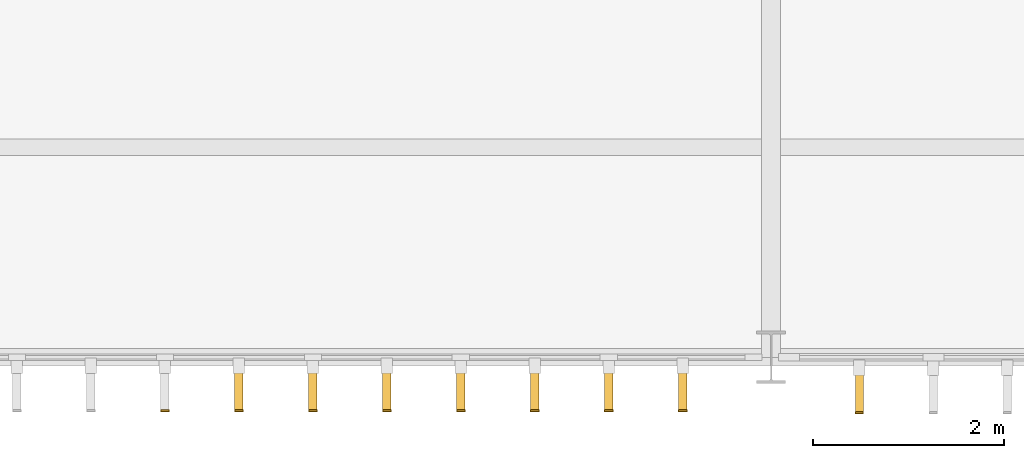
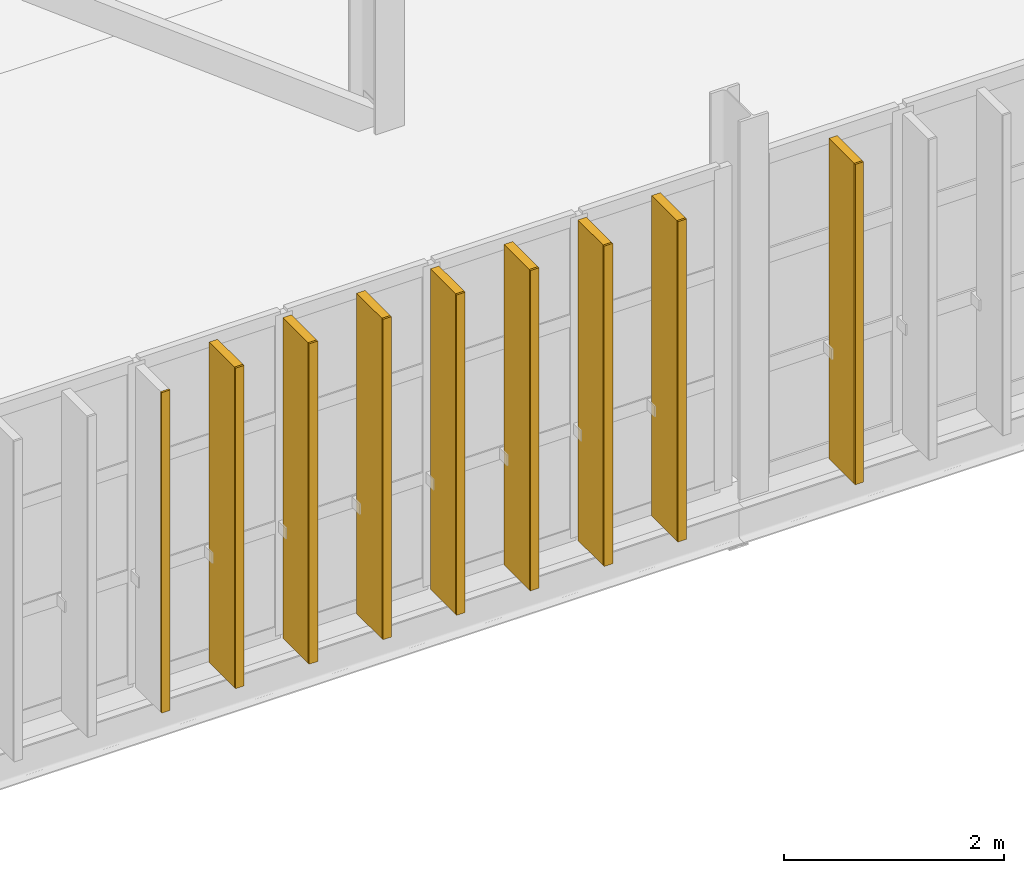
# One storey, part 45 of 52: 9 coverings, 8 shading devices.
"""IFC4 building model written with IfcOpenShell, lengths in metres."""

from ifc_helpers import new_model, si_unit, direction, frame, origin, origin_2d, place, context, subcontext, project, spatial, rectangle, extrude, material, layer, layer_set, type_object, element, save


model = new_model("IFC4")

# Units and contexts
model_context = context("Model", 3, precision=1e-05, world=origin(), true_north=direction((0.0, 1.0)))
body_context = subcontext(model_context, "Body", "Model", "MODEL_VIEW")
ifc_project = project(units=[si_unit("LENGTHUNIT", "METRE"), si_unit("AREAUNIT", "SQUARE_METRE"), si_unit("VOLUMEUNIT", "CUBIC_METRE"), si_unit("PLANEANGLEUNIT", "RADIAN"), si_unit("MASSUNIT", "GRAM", prefix="KILO")], contexts=[model_context])

# Site, building, storey
site_placement = place(None, origin())
site = spatial("IfcSite", under=ifc_project, at=site_placement, CompositionType="ELEMENT")
building_placement = place(site_placement, origin())
building = spatial("IfcBuilding", under=site, at=building_placement, Name="Zarnetskaya Central Station", CompositionType="ELEMENT")
storey_placement = place(building_placement, frame((0.0, 0.0, 14.39990234375)))
storey = spatial("IfcBuildingStorey", under=building, at=storey_placement, Name="L03", CompositionType="ELEMENT", Elevation=14.39990234375)

# Coverings
ifc_material_1 = material(Name="Treated larch timber", Category="wood")
ifc_layer = layer(ifc_material_1, 0.02001953125, Name="Treated larch timber", Category="wood")
ifc_layer_set = layer_set([ifc_layer], Name="Treated larch timber")
covering_type = type_object("IfcCoveringType", Name="COV-LARCH-CAP", PredefinedType="CLADDING", material=ifc_layer_set)
covering_placement = place(storey_placement, frame((39.324951171875, -0.580078125, 0.0), z_axis=(0.0, 0.0, 1.0), x_axis=(-1.0, 0.0, 0.0)))
element("IfcCovering", 1, at=covering_placement, inside=storey, type_object=covering_type, Name="Larch fin weather cap CW-L03-042-11", PredefinedType="CLADDING", context=body_context, shape_type="SweptSolid", body=[
    extrude(rectangle(XDim=0.0849609375, YDim=0.02001953125, at=origin_2d()), origin(), (0.0, 0.0, 1.0), 3.56005859375),
])
for number, where, z_axis, x_axis, name in (
    (2, (37.47509765625, -0.56005859375, 0.0), (0.0, 0.0, 1.0), (-1.0, 0.0, 0.0), "Larch fin weather cap CW-L03-043-01"),
    (3, (36.699951171875, -0.56005859375, 0.0), (0.0, 0.0, 1.0), (-1.0, 0.0, 0.0), "Larch fin weather cap CW-L03-043-02"),
    (4, (35.925048828125, -0.56005859375, 0.0), (0.0, 0.0, 1.0), (-1.0, 0.0, 0.0), "Larch fin weather cap CW-L03-043-03"),
    (5, (35.14990234375, -0.56005859375, 0.0), (0.0, 0.0, 1.0), (-1.0, 0.0, 0.0), "Larch fin weather cap CW-L03-043-04"),
    (6, (34.375, -0.56005859375, 0.0), (0.0, 0.0, 1.0), (-1.0, 0.0, 0.0), "Larch fin weather cap CW-L03-043-05"),
    (7, (33.60009765625, -0.56005859375, 0.0), (0.0, 0.0, 1.0), (-1.0, 0.0, 0.0), "Larch fin weather cap CW-L03-043-06"),
    (8, (32.824951171875, -0.56005859375, 0.0), (0.0, 0.0, 1.0), (-1.0, 0.0, 0.0), "Larch fin weather cap CW-L03-043-07"),
    (9, (32.050048828125, -0.56005859375, 0.0), (0.0, 0.0, 1.0), (-1.0, 0.0, 0.0), "Larch fin weather cap CW-L03-043-08"),
):
    element("IfcCovering", number, at=place(storey_placement, frame(where, z_axis=z_axis, x_axis=x_axis)), inside=storey, type_object=covering_type, Name=name, PredefinedType="CLADDING", context=body_context, shape_type="SweptSolid", body=[
        extrude(rectangle(XDim=0.090087890625, YDim=0.02001953125, at=origin_2d()), origin(), (0.0, 0.0, 1.0), 3.56005859375),
    ])

# Shading devices
ifc_material_2 = material(Name="Larch glulam GL28h", Category="wood")
shading_device_type_1 = type_object("IfcShadingDeviceType", Name="SHD-LARCH-FIN-A", PredefinedType="USERDEFINED", material=ifc_material_2)
for number, where, z_axis, x_axis, name in (
    (10, (37.47509765625, -0.320068359375, 0.0), (0.0, 0.0, 1.0), (-1.0, 0.0, 0.0), "Vertical larch timber fin CW-L03-043-01"),
    (11, (36.699951171875, -0.320068359375, 0.0), (0.0, 0.0, 1.0), (-1.0, 0.0, 0.0), "Vertical larch timber fin CW-L03-043-02"),
    (12, (35.925048828125, -0.320068359375, 0.0), (0.0, 0.0, 1.0), (-1.0, 0.0, 0.0), "Vertical larch timber fin CW-L03-043-03"),
    (13, (35.14990234375, -0.320068359375, 0.0), (0.0, 0.0, 1.0), (-1.0, 0.0, 0.0), "Vertical larch timber fin CW-L03-043-04"),
    (14, (34.375, -0.320068359375, 0.0), (0.0, 0.0, 1.0), (-1.0, 0.0, 0.0), "Vertical larch timber fin CW-L03-043-05"),
    (15, (33.60009765625, -0.320068359375, 0.0), (0.0, 0.0, 1.0), (-1.0, 0.0, 0.0), "Vertical larch timber fin CW-L03-043-06"),
    (16, (32.824951171875, -0.320068359375, 0.0), (0.0, 0.0, 1.0), (-1.0, 0.0, 0.0), "Vertical larch timber fin CW-L03-043-07"),
):
    element("IfcShadingDevice", number, at=place(storey_placement, frame(where, z_axis=z_axis, x_axis=x_axis)), inside=storey, type_object=shading_device_type_1, Name=name, ObjectType="TIMBER FIN", PredefinedType="USERDEFINED", context=body_context, shape_type="SweptSolid", body=[
        extrude(rectangle(XDim=0.090087890625, YDim=0.4599609375, at=origin_2d()), origin(), (0.0, 0.0, 1.0), 3.56005859375),
    ])
shading_device_type_2 = type_object("IfcShadingDeviceType", Name="SHD-LARCH-FIN-B", PredefinedType="USERDEFINED", material=ifc_material_2)
shading_device_placement = place(storey_placement, frame((39.324951171875, -0.340087890625, 0.0), z_axis=(0.0, 0.0, 1.0), x_axis=(-1.0, 0.0, 0.0)))
element("IfcShadingDevice", 17, at=shading_device_placement, inside=storey, type_object=shading_device_type_2, Name="Vertical larch timber fin CW-L03-042-11", ObjectType="TIMBER FIN", PredefinedType="USERDEFINED", context=body_context, shape_type="SweptSolid", body=[
    extrude(rectangle(XDim=0.0849609375, YDim=0.4599609375, at=origin_2d()), origin(), (0.0, 0.0, 1.0), 3.56005859375),
])

save(model, "model.ifc")
